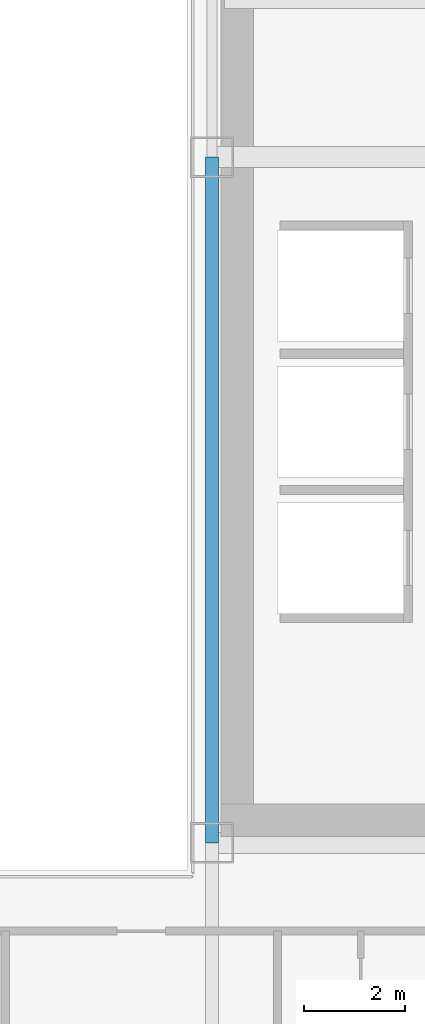
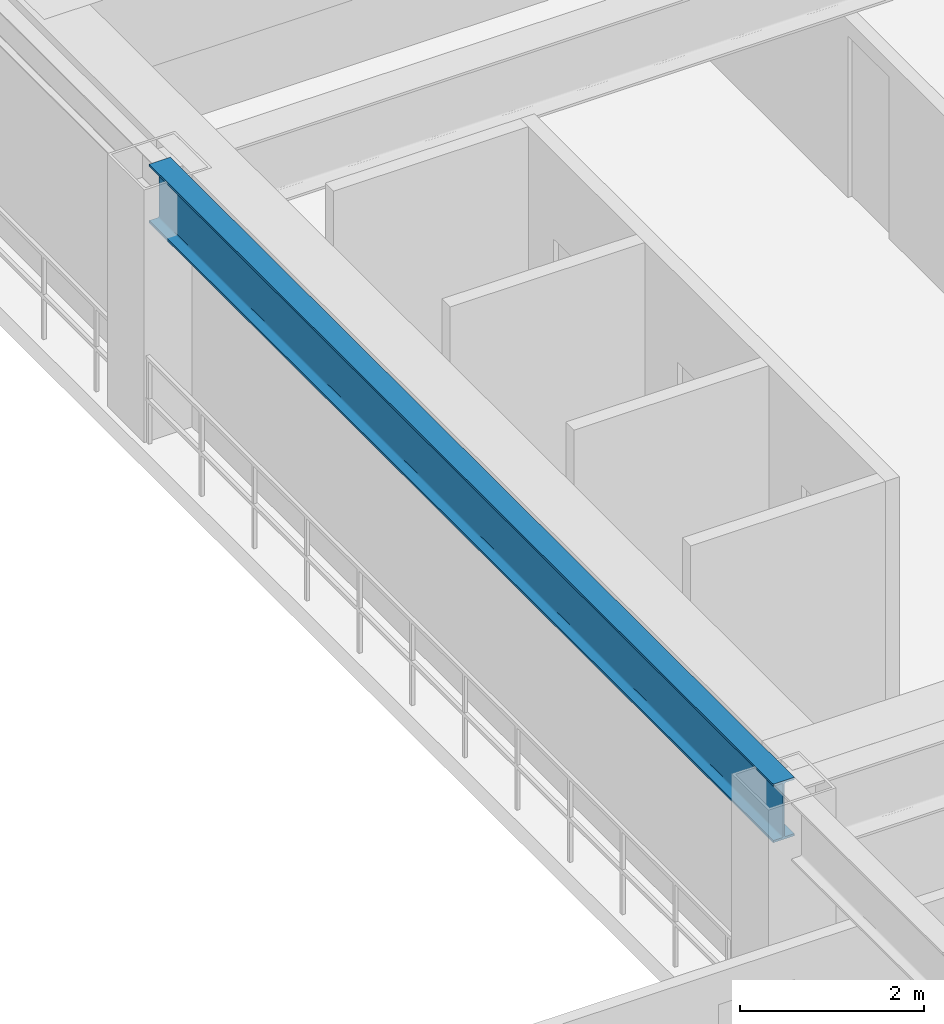
# One storey, part 12 of 35: 1 beam.
"""IFC4 building model written with IfcOpenShell, lengths in metres."""

from ifc_helpers import new_model, si_unit, direction, frame, origin, origin_2d, place, context, subcontext, project, spatial, i_section, extrude, source, transform, mapped, material, material_profile, profile_set, type_object, element, save


model = new_model("IFC4")

# Units and contexts
model_context = context("Model", 3, precision=1e-05, world=origin(), true_north=direction((0.0, 1.0)))
body_context = subcontext(model_context, "Body", "Model", "MODEL_VIEW")
ifc_project = project(units=[si_unit("LENGTHUNIT", "METRE"), si_unit("AREAUNIT", "SQUARE_METRE"), si_unit("VOLUMEUNIT", "CUBIC_METRE"), si_unit("PLANEANGLEUNIT", "RADIAN"), si_unit("MASSUNIT", "GRAM", prefix="KILO")], contexts=[model_context])

# Site, building, storey
site_placement = place(None, origin())
site = spatial("IfcSite", under=ifc_project, at=site_placement, CompositionType="ELEMENT")
building_placement = place(site_placement, origin())
building = spatial("IfcBuilding", under=site, at=building_placement, Name="Ocotamira Hotel", CompositionType="ELEMENT")
storey_placement = place(building_placement, frame((0.0, 0.0, 122.39990234375)))
storey = spatial("IfcBuildingStorey", under=building, at=storey_placement, Name="L30", CompositionType="ELEMENT", Elevation=122.39990234375)

# Beam
ifc_material = material(Name="Steel ASTM A992 Grade 50", Category="steel")
ifc_material_profile = material_profile(ifc_material, i_section(OverallWidth=0.26611328125, OverallDepth=0.779052734375, WebThickness=0.0166015625, FlangeThickness=0.030029296875, FilletRadius=0.01806640625, at=origin_2d()), Name="W30X148")
ifc_profile_set = profile_set([ifc_material_profile], Name="Steel ASTM A992 Grade 50")
beam_type = type_object("IfcBeamType", Name="BM-GIRD-W30X148", PredefinedType="BEAM", material=ifc_profile_set)
shared_shape = source(origin(), body_context, "Body", "SweptSolid", [
    extrude(i_section(OverallWidth=0.26611328125, OverallDepth=0.779052734375, WebThickness=0.0166015625, FlangeThickness=0.030029296875, FilletRadius=0.01806640625, at=origin_2d()), origin(), (0.0, 0.0, 1.0), 13.599853515625),
])
beam_placement = place(storey_placement, frame((40.5, 14.550048828125, 2.970703125), z_axis=(0.0, 1.0, 0.0), x_axis=(-1.0, 0.0, 0.0)))
element("IfcBeam", 1, at=beam_placement, inside=storey, type_object=beam_type, Name="L30 Beam X40.5 Y14.55-28.15", PredefinedType="BEAM", context=body_context, shape_type="MappedRepresentation", body=[
    mapped(shared_shape, transform((0.0, 0.0, 0.0), scale=1.0)),
])

save(model, "model.ifc")
